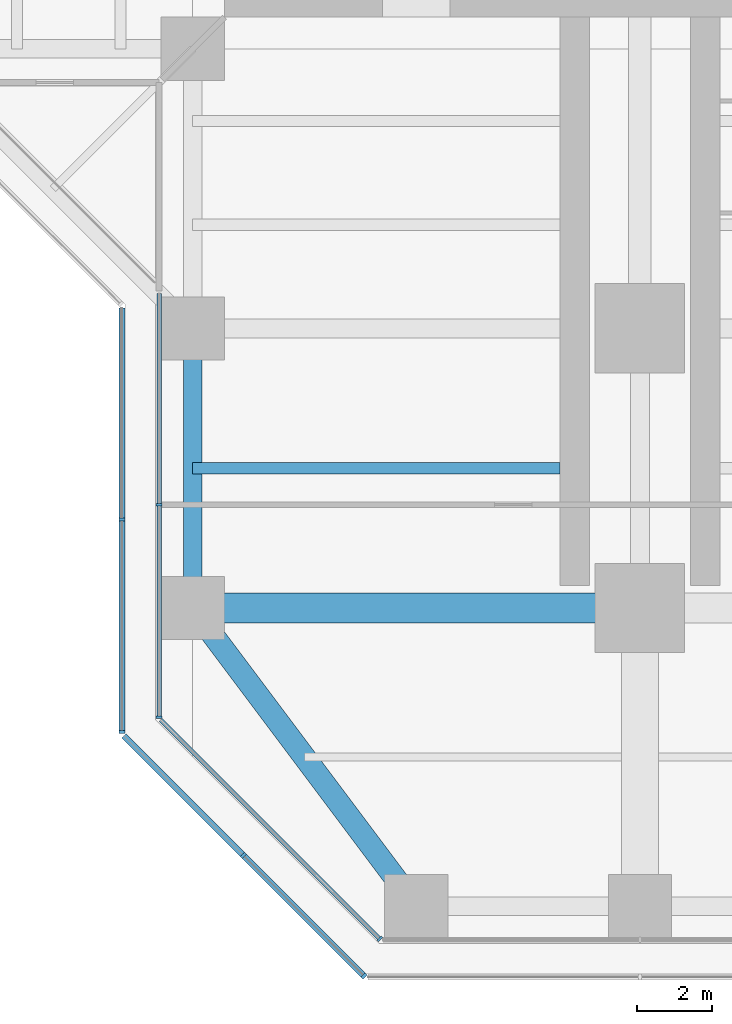
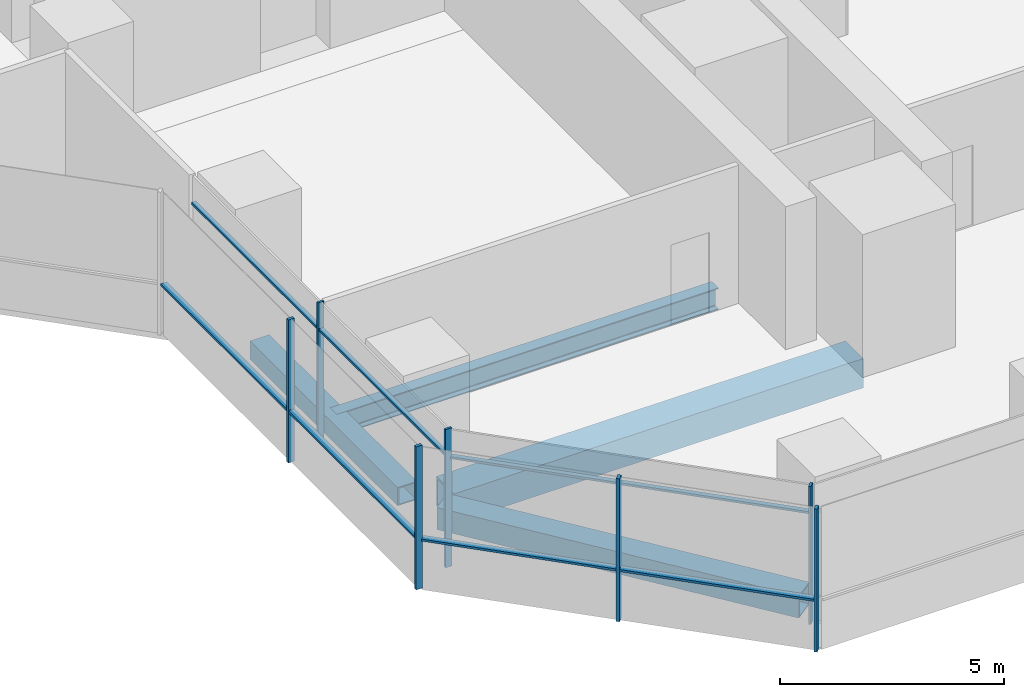
# One storey, part 2 of 22: 14 members, 4 beams, 4 elements without a shape of their own.
"""IFC4 building model written with IfcOpenShell, lengths in metres."""

from ifc_helpers import new_model, si_unit, direction, frame, origin, origin_2d, place, context, subcontext, project, spatial, rectangle, hollow_rectangle, i_section, extrude, material, material_profile, profile_set, type_object, element, aggregate, save


model = new_model("IFC4")

# Units and contexts
model_context = context("Model", 3, precision=1e-05, world=origin(), true_north=direction((0.0, 1.0)))
body_context = subcontext(model_context, "Body", "Model", "MODEL_VIEW")
ifc_project = project(units=[si_unit("LENGTHUNIT", "METRE"), si_unit("AREAUNIT", "SQUARE_METRE"), si_unit("VOLUMEUNIT", "CUBIC_METRE"), si_unit("PLANEANGLEUNIT", "RADIAN"), si_unit("MASSUNIT", "GRAM", prefix="KILO")], contexts=[model_context])

# Site, building, storey
site_placement = place(None, origin())
site = spatial("IfcSite", under=ifc_project, at=site_placement, CompositionType="ELEMENT")
building_placement = place(site_placement, origin())
building = spatial("IfcBuilding", under=site, at=building_placement, Name="Mizan Broadcast Tower", CompositionType="ELEMENT")
storey_placement = place(building_placement, frame((0.0, 0.0, 105.89990234375)))
storey = spatial("IfcBuildingStorey", under=building, at=storey_placement, Name="L23", CompositionType="ELEMENT", Elevation=105.89990234375)

# Beams
ifc_material_1 = material(Name="Steel S355", Category="steel")
ifc_material_profile_1 = material_profile(ifc_material_1, hollow_rectangle(XDim=0.5, YDim=0.5, WallThickness=0.030029296875, at=origin_2d()), Name="BOX 500x500x30")
ifc_profile_set_1 = profile_set([ifc_material_profile_1], Name="Steel S355")
beam_type_1 = type_object("IfcBeamType", Name="EDGE BEAM BOX 500x500x30", PredefinedType="SPANDREL", material=ifc_profile_set_1)
beam_1_placement = place(storey_placement, frame((-12.0, -19.949951171875, -0.3798828125), z_axis=(0.0, -1.0, 0.0), x_axis=(1.0, 0.0, 0.0)))
element("IfcBeam", 1, at=beam_1_placement, inside=storey, type_object=beam_type_1, Name="Edge beam BOX 500x500x30 L23 south arm", PredefinedType="SPANDREL", context=body_context, shape_type="SweptSolid", body=[
    extrude(hollow_rectangle(XDim=0.5, YDim=0.5, WallThickness=0.030029296875, at=origin_2d()), origin(), (0.0, 0.0, 1.0), 6.60009765625),
])
ifc_material_2 = material(Name="Steel S355", Category="steel")
ifc_material_profile_2 = material_profile(ifc_material_2, hollow_rectangle(XDim=0.60009765625, YDim=0.60009765625, WallThickness=0.030029296875, at=origin_2d()), Name="BOX 600x600x30")
ifc_profile_set_2 = profile_set([ifc_material_profile_2], Name="Steel S355")
beam_type_2 = type_object("IfcBeamType", Name="EDGE BEAM BOX 600x600x30", PredefinedType="SPANDREL", material=ifc_profile_set_2)
beam_2_placement = place(storey_placement, frame((-11.639892578125, -27.47998046875, -0.429931640625), z_axis=(0.599982243973, -0.800013316712, 0.0), x_axis=(0.800013316712, 0.599982243973, 0.0)))
element("IfcBeam", 2, at=beam_2_placement, inside=storey, type_object=beam_type_2, Name="Edge beam BOX 600x600x30 L23 south arm", PredefinedType="SPANDREL", context=body_context, shape_type="SweptSolid", body=[
    extrude(hollow_rectangle(XDim=0.60009765625, YDim=0.60009765625, WallThickness=0.030029296875, at=origin_2d()), origin(), (0.0, 0.0, 1.0), 8.7998046875),
])
ifc_material_3 = material(Name="Steel S460", Category="steel")
ifc_material_profile_3 = material_profile(ifc_material_3, hollow_rectangle(XDim=0.800048828125, YDim=0.800048828125, WallThickness=0.050048828125, at=origin_2d()), Name="BOX 800x800x50")
ifc_profile_set_3 = profile_set([ifc_material_profile_3], Name="Steel S460")
beam_type_3 = type_object("IfcBeamType", Name="GIRDER BOX 800x800x50", PredefinedType="BEAM", material=ifc_profile_set_3)
beam_3_placement = place(storey_placement, frame((-11.280029296875, -27.0, -0.52978515625), z_axis=(1.0, 0.0, 0.0), x_axis=(0.0, 1.0, 0.0)))
element("IfcBeam", 3, at=beam_3_placement, inside=storey, type_object=beam_type_3, Name="Girder BOX 800x800x50 L23 south arm", PredefinedType="BEAM", context=body_context, shape_type="SweptSolid", body=[
    extrude(hollow_rectangle(XDim=0.800048828125, YDim=0.800048828125, WallThickness=0.050048828125, at=origin_2d()), origin(), (0.0, 0.0, 1.0), 10.56005859375),
])

# Curtain wall, members
ifc_material_4 = material(Name="Aluminium framed glazing", Category="aluminium")
curtain_wall_type_1 = type_object("IfcCurtainWallType", Name="INNER SKIN LOW ZONE", PredefinedType="USERDEFINED", material=ifc_material_4)
curtain_wall_1_placement = place(storey_placement, origin())
curtain_wall_1 = element("IfcCurtainWall", 4, at=curtain_wall_1_placement, inside=storey, type_object=curtain_wall_type_1, Name="Inner skin low zone L23 S side", ObjectType="INNER SKIN LOW ZONE", PredefinedType="USERDEFINED")
ifc_material_5 = material(Name="Aluminium, pale anodised", Category="aluminium")
ifc_material_profile_4 = material_profile(ifc_material_5, rectangle(XDim=0.159912109375, YDim=0.06005859375, at=origin_2d()), Name="MULLION 160x60")
ifc_profile_set_4 = profile_set([ifc_material_profile_4], Name="Aluminium, pale anodised")
member_type_1 = type_object("IfcMemberType", Name="INNER SKIN MULLION 60x160", PredefinedType="MULLION", material=ifc_profile_set_4)
member_1_placement = place(storey_placement, frame((-12.89990234375, -24.229248046875, 0.0), z_axis=(0.0, 0.0, 1.0), x_axis=(1.0, 0.0, 0.0)))
member_1 = element("IfcMember", 5, at=member_1_placement, type_object=member_type_1, Name="Inner skin low zone L23 S side mullion 2", PredefinedType="MULLION", context=body_context, shape_type="SweptSolid", body=[
    extrude(rectangle(XDim=0.159912109375, YDim=0.06005859375, at=origin_2d()), origin(), (0.0, 0.0, 1.0), 3.77001953125),
])
member_2_placement = place(storey_placement, frame((-12.89990234375, -29.928466796875, 0.0), z_axis=(0.0, 0.0, 1.0), x_axis=(1.0, 0.0, 0.0)))
member_2 = element("IfcMember", 6, at=member_2_placement, type_object=member_type_1, Name="Inner skin low zone L23 S side mullion 3", PredefinedType="MULLION", context=body_context, shape_type="SweptSolid", body=[
    extrude(rectangle(XDim=0.159912109375, YDim=0.06005859375, at=origin_2d()), origin(), (0.0, 0.0, 1.0), 3.77001953125),
])

# Curtain wall, member
curtain_wall_2_placement = place(storey_placement, origin())
curtain_wall_2 = element("IfcCurtainWall", 7, at=curtain_wall_2_placement, inside=storey, type_object=curtain_wall_type_1, Name="Inner skin low zone L23 S chamfer", ObjectType="INNER SKIN LOW ZONE", PredefinedType="USERDEFINED")
member_3_placement = place(storey_placement, frame((-6.979736328125, -35.87890625, 0.0), z_axis=(0.0, 0.0, 1.0), x_axis=(0.707106781187, 0.707106781187, 0.0)))
member_3 = element("IfcMember", 8, at=member_3_placement, type_object=member_type_1, Name="Inner skin low zone L23 S chamfer mullion 2", PredefinedType="MULLION", context=body_context, shape_type="SweptSolid", body=[
    extrude(rectangle(XDim=0.159912109375, YDim=0.06005859375, at=origin_2d()), origin(), (0.0, 0.0, 1.0), 3.77001953125),
])

# Member
ifc_material_6 = material(Name="Aluminium, pale anodised", Category="aluminium")
ifc_material_profile_5 = material_profile(ifc_material_6, rectangle(XDim=0.1201171875, YDim=0.06005859375, at=origin_2d()), Name="TRANSOM 120x60")
ifc_profile_set_5 = profile_set([ifc_material_profile_5], Name="Aluminium, pale anodised")
member_type_2 = type_object("IfcMemberType", Name="INNER SKIN TRANSOM 60x120", PredefinedType="USERDEFINED", material=ifc_profile_set_5)
member_4_placement = place(storey_placement, frame((-12.89990234375, -18.56005859375, 3.030029296875), z_axis=(0.0, -1.0, 0.0), x_axis=(1.0, 0.0, 0.0)))
member_4 = element("IfcMember", 9, at=member_4_placement, type_object=member_type_2, Name="Inner skin low zone L23 S side transom 1.1", ObjectType="TRANSOM", PredefinedType="USERDEFINED", context=body_context, shape_type="SweptSolid", body=[
    extrude(rectangle(XDim=0.1201171875, YDim=0.06005859375, at=origin_2d()), origin(), (0.0, 0.0, 1.0), 5.63916015625),
])

member_5_placement = place(storey_placement, frame((-12.89990234375, -24.25927734375, 3.030029296875), z_axis=(0.0, -1.0, 0.0), x_axis=(1.0, 0.0, 0.0)))
member_5 = element("IfcMember", 10, at=member_5_placement, type_object=member_type_2, Name="Inner skin low zone L23 S side transom 2.1", ObjectType="TRANSOM", PredefinedType="USERDEFINED", context=body_context, shape_type="SweptSolid", body=[
    extrude(rectangle(XDim=0.1201171875, YDim=0.06005859375, at=origin_2d()), origin(), (0.0, 0.0, 1.0), 5.639404296875),
])

aggregate(curtain_wall_1, [member_1, member_2, member_4, member_5])

member_6_placement = place(storey_placement, frame((-12.857666015625, -30.0009765625, 3.030029296875), z_axis=(0.707106781187, -0.707106781187, 0.0), x_axis=(0.707106781187, 0.707106781187, 0.0)))
member_6 = element("IfcMember", 11, at=member_6_placement, type_object=member_type_2, Name="Inner skin low zone L23 S chamfer transom 1.1", ObjectType="TRANSOM", PredefinedType="USERDEFINED", context=body_context, shape_type="SweptSolid", body=[
    extrude(rectangle(XDim=0.1201171875, YDim=0.06005859375, at=origin_2d()), origin(), (0.0, 0.0, 1.0), 8.28271484375),
])

aggregate(curtain_wall_2, [member_3, member_6])

# Curtain wall, members
ifc_material_7 = material(Name="Aluminium framed glazing", Category="aluminium")
curtain_wall_type_2 = type_object("IfcCurtainWallType", Name="OUTER SKIN", PredefinedType="USERDEFINED", material=ifc_material_7)
curtain_wall_3_placement = place(storey_placement, origin())
curtain_wall_3 = element("IfcCurtainWall", 12, at=curtain_wall_3_placement, inside=storey, type_object=curtain_wall_type_2, Name="Outer skin L23 S side", ObjectType="OUTER SKIN", PredefinedType="USERDEFINED")
ifc_material_8 = material(Name="Aluminium, pale anodised", Category="aluminium")
ifc_material_profile_6 = material_profile(ifc_material_8, rectangle(XDim=0.159912109375, YDim=0.080078125, at=origin_2d()), Name="MULLION 160x80")
ifc_profile_set_6 = profile_set([ifc_material_profile_6], Name="Aluminium, pale anodised")
member_type_3 = type_object("IfcMemberType", Name="OUTER SKIN MULLION 80x160", PredefinedType="MULLION", material=ifc_profile_set_6)
member_7_placement = place(storey_placement, frame((-13.89990234375, -24.622802734375, 0.0), z_axis=(0.0, 0.0, 1.0), x_axis=(1.0, 0.0, 0.0)))
member_7 = element("IfcMember", 13, at=member_7_placement, type_object=member_type_3, Name="Outer skin L23 S side mullion 2", PredefinedType="MULLION", context=body_context, shape_type="SweptSolid", body=[
    extrude(rectangle(XDim=0.159912109375, YDim=0.080078125, at=origin_2d()), origin(), (0.0, 0.0, 1.0), 3.900146484375),
])
member_8_placement = place(storey_placement, frame((-13.89990234375, -30.332763671875, 0.0), z_axis=(0.0, 0.0, 1.0), x_axis=(1.0, 0.0, 0.0)))
member_8 = element("IfcMember", 14, at=member_8_placement, type_object=member_type_3, Name="Outer skin L23 S side mullion 3", PredefinedType="MULLION", context=body_context, shape_type="SweptSolid", body=[
    extrude(rectangle(XDim=0.159912109375, YDim=0.080078125, at=origin_2d()), origin(), (0.0, 0.0, 1.0), 3.900146484375),
])

curtain_wall_4_placement = place(storey_placement, origin())
curtain_wall_4 = element("IfcCurtainWall", 15, at=curtain_wall_4_placement, inside=storey, type_object=curtain_wall_type_2, Name="Outer skin L23 S chamfer", ObjectType="OUTER SKIN", PredefinedType="USERDEFINED")
member_9_placement = place(storey_placement, frame((-10.636474609375, -33.636474609375, 0.0), z_axis=(0.0, 0.0, 1.0), x_axis=(0.707106781187, 0.707106781187, 0.0)))
member_9 = element("IfcMember", 16, at=member_9_placement, type_object=member_type_3, Name="Outer skin L23 S chamfer mullion 2", PredefinedType="MULLION", context=body_context, shape_type="SweptSolid", body=[
    extrude(rectangle(XDim=0.159912109375, YDim=0.080078125, at=origin_2d()), origin(), (0.0, 0.0, 1.0), 3.900146484375),
])
member_10_placement = place(storey_placement, frame((-7.401123046875, -36.871826171875, 0.0), z_axis=(0.0, 0.0, 1.0), x_axis=(0.707106781187, 0.707106781187, 0.0)))
member_10 = element("IfcMember", 17, at=member_10_placement, type_object=member_type_3, Name="Outer skin L23 S chamfer mullion 3", PredefinedType="MULLION", context=body_context, shape_type="SweptSolid", body=[
    extrude(rectangle(XDim=0.159912109375, YDim=0.080078125, at=origin_2d()), origin(), (0.0, 0.0, 1.0), 3.900146484375),
])

# Member
ifc_material_9 = material(Name="Aluminium, pale anodised", Category="aluminium")
ifc_material_profile_7 = material_profile(ifc_material_9, rectangle(XDim=0.159912109375, YDim=0.06005859375, at=origin_2d()), Name="TRANSOM 160x60")
ifc_profile_set_7 = profile_set([ifc_material_profile_7], Name="Aluminium, pale anodised")
member_type_4 = type_object("IfcMemberType", Name="OUTER SKIN TRANSOM 60x160", PredefinedType="USERDEFINED", material=ifc_profile_set_7)
member_11_placement = place(storey_placement, frame((-13.89990234375, -18.952880859375, 1.400146484375), z_axis=(0.0, -1.0, 0.0), x_axis=(1.0, 0.0, 0.0)))
member_11 = element("IfcMember", 18, at=member_11_placement, type_object=member_type_4, Name="Outer skin L23 S side transom 1.1", ObjectType="TRANSOM", PredefinedType="USERDEFINED", context=body_context, shape_type="SweptSolid", body=[
    extrude(rectangle(XDim=0.159912109375, YDim=0.06005859375, at=origin_2d()), origin(), (0.0, 0.0, 1.0), 5.6298828125),
])

member_12_placement = place(storey_placement, frame((-13.89990234375, -24.662841796875, 1.400146484375), z_axis=(0.0, -1.0, 0.0), x_axis=(1.0, 0.0, 0.0)))
member_12 = element("IfcMember", 19, at=member_12_placement, type_object=member_type_4, Name="Outer skin L23 S side transom 2.1", ObjectType="TRANSOM", PredefinedType="USERDEFINED", context=body_context, shape_type="SweptSolid", body=[
    extrude(rectangle(XDim=0.159912109375, YDim=0.06005859375, at=origin_2d()), origin(), (0.0, 0.0, 1.0), 5.6298828125),
])

aggregate(curtain_wall_3, [member_7, member_8, member_11, member_12])

member_13_placement = place(storey_placement, frame((-13.843505859375, -30.429443359375, 1.400146484375), z_axis=(0.707106781187, -0.707106781187, 0.0), x_axis=(0.707106781187, 0.707106781187, 0.0)))
member_13 = element("IfcMember", 20, at=member_13_placement, type_object=member_type_4, Name="Outer skin L23 S chamfer transom 1.1", ObjectType="TRANSOM", PredefinedType="USERDEFINED", context=body_context, shape_type="SweptSolid", body=[
    extrude(rectangle(XDim=0.159912109375, YDim=0.06005859375, at=origin_2d()), origin(), (0.0, 0.0, 1.0), 4.495361328125),
])

member_14_placement = place(storey_placement, frame((-10.608154296875, -33.664794921875, 1.400146484375), z_axis=(0.707106781187, -0.707106781187, 0.0), x_axis=(0.707106781187, 0.707106781187, 0.0)))
member_14 = element("IfcMember", 21, at=member_14_placement, type_object=member_type_4, Name="Outer skin L23 S chamfer transom 2.1", ObjectType="TRANSOM", PredefinedType="USERDEFINED", context=body_context, shape_type="SweptSolid", body=[
    extrude(rectangle(XDim=0.159912109375, YDim=0.06005859375, at=origin_2d()), origin(), (0.0, 0.0, 1.0), 4.495361328125),
])

aggregate(curtain_wall_4, [member_9, member_10, member_13, member_14])

# Beam
ifc_material_10 = material(Name="Steel S355", Category="steel")
ifc_material_profile_8 = material_profile(ifc_material_10, i_section(OverallWidth=0.300048828125, OverallDepth=0.590087890625, WebThickness=0.012939453125, FlangeThickness=0.02490234375, FilletRadius=0.027099609375, at=origin_2d()), Name="HEA 600")
ifc_profile_set_8 = profile_set([ifc_material_profile_8], Name="Steel S355")
beam_type_4 = type_object("IfcBeamType", Name="SECONDARY BEAM HEA 600", PredefinedType="JOIST", material=ifc_profile_set_8)
beam_4_placement = place(storey_placement, frame((-12.0, -23.25, -0.4248046875), z_axis=(1.0, 0.0, 0.0), x_axis=(0.0, 1.0, 0.0)))
element("IfcBeam", 22, at=beam_4_placement, inside=storey, type_object=beam_type_4, Name="Secondary beam HEA 600 L23 south arm", PredefinedType="JOIST", context=body_context, shape_type="SweptSolid", body=[
    extrude(i_section(OverallWidth=0.300048828125, OverallDepth=0.590087890625, WebThickness=0.012939453125, FlangeThickness=0.02490234375, FilletRadius=0.027099609375, at=origin_2d()), origin(), (0.0, 0.0, 1.0), 9.85009765625),
])

save(model, "model.ifc")
